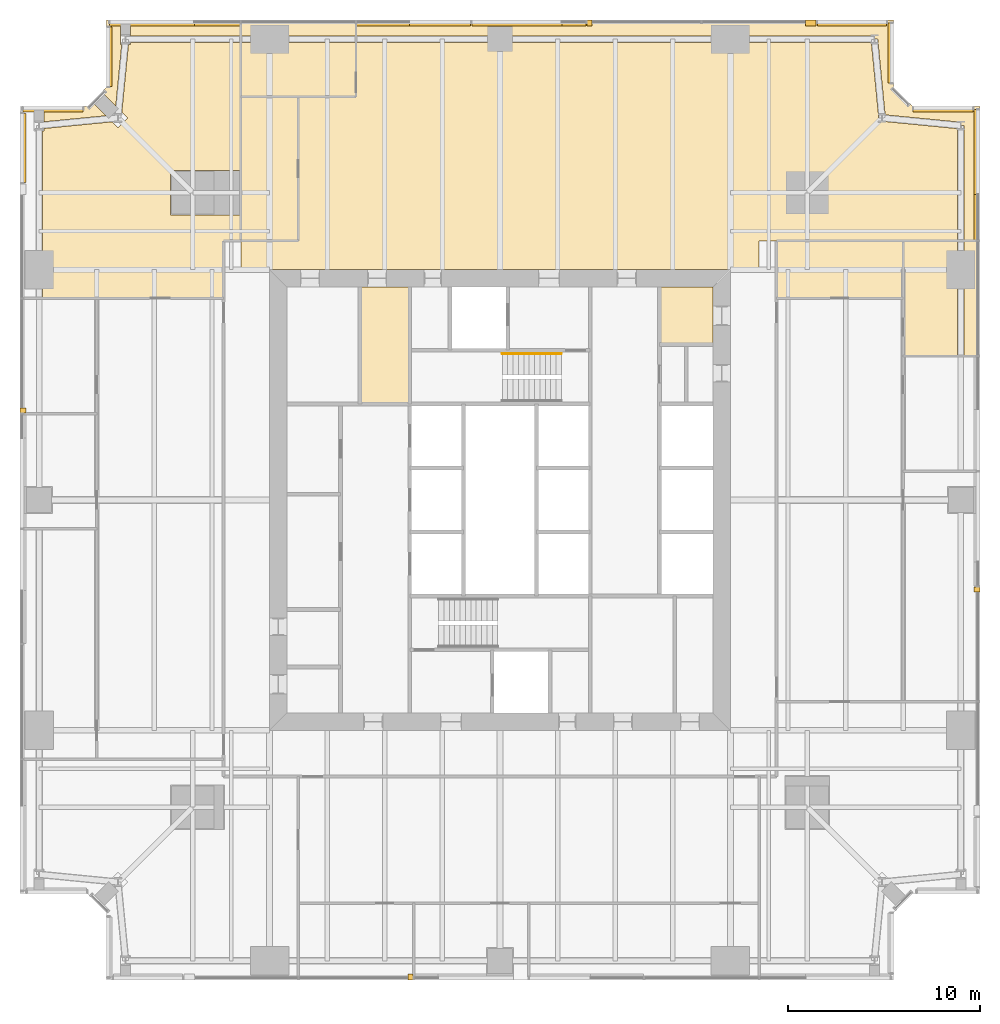
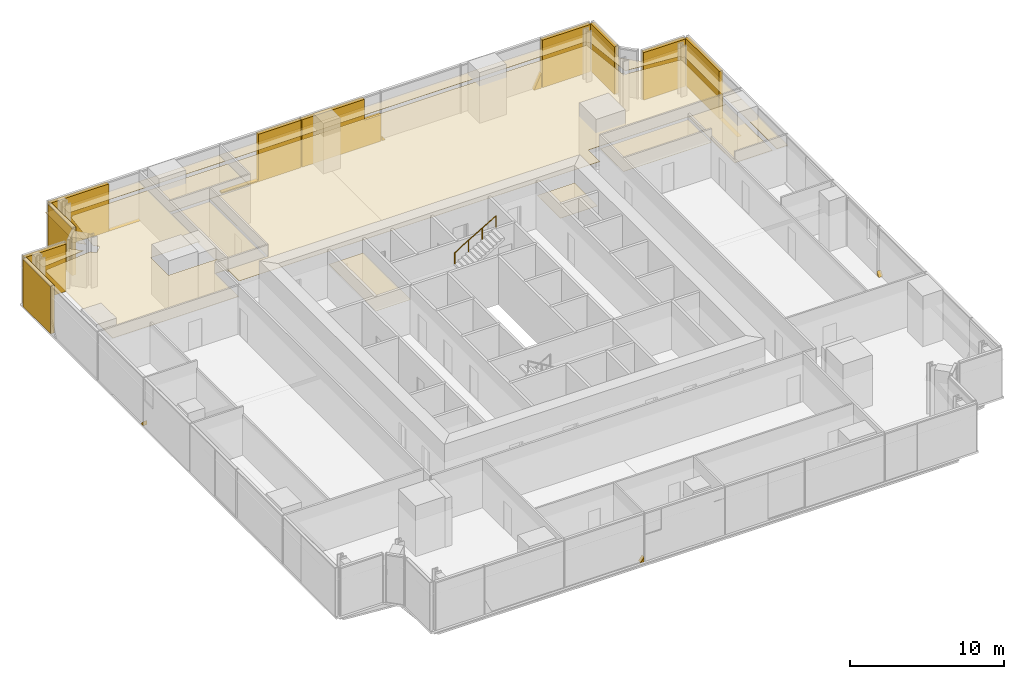
# One storey, part 13 of 13: 29 coverings, 1 railing.
"""IFC4 building model written with IfcOpenShell, lengths in metres."""

from ifc_helpers import new_model, si_unit, direction, frame, origin, origin_2d, place, context, subcontext, project, spatial, polyline, circle, outline, extrude, material, layer, layer_set, type_object, element, save


model = new_model("IFC4")

# Units and contexts
model_context = context("Model", 3, precision=1e-05, world=origin(), true_north=direction((0.0, 1.0)))
body_context = subcontext(model_context, "Body", "Model", "MODEL_VIEW")
ifc_project = project(units=[si_unit("LENGTHUNIT", "METRE"), si_unit("AREAUNIT", "SQUARE_METRE"), si_unit("VOLUMEUNIT", "CUBIC_METRE"), si_unit("PLANEANGLEUNIT", "RADIAN"), si_unit("MASSUNIT", "GRAM", prefix="KILO")], contexts=[model_context])

# Site, building, storey
site_placement = place(None, origin())
site = spatial("IfcSite", under=ifc_project, at=site_placement, CompositionType="ELEMENT")
building_placement = place(site_placement, origin())
building = spatial("IfcBuilding", under=site, at=building_placement, Name="Fenwick Lantern Interchange", CompositionType="ELEMENT")
storey_placement = place(building_placement, frame((0.0, 0.0, 142.39990234375)))
storey = spatial("IfcBuildingStorey", under=building, at=storey_placement, Name="L33", CompositionType="ELEMENT", Elevation=142.39990234375)

# Coverings
ifc_material_1 = material(Name="Mineral fibre acoustic tile on suspended grid")
ifc_layer_1 = layer(ifc_material_1, 0.02001953125)
ifc_layer_set_1 = layer_set([ifc_layer_1], Name="ACOUSTIC TILE CEILING 20")
covering_type_1 = type_object("IfcCoveringType", Name="ACOUSTIC TILE CEILING 20", PredefinedType="CEILING", material=ifc_layer_set_1)
covering_1_placement = place(storey_placement, frame((0.0, 0.0, 2.900146484375)))
element("IfcCovering", 1, at=covering_1_placement, inside=storey, type_object=covering_type_1, Name="Office ceiling", PredefinedType="CEILING", context=body_context, shape_type="SweptSolid", body=[
    extrude(outline(polyline([(46.0, 32.5), (48.82763671875, 32.5), (48.82763671875, 37.0), (48.82763671875, 38.5), (46.0, 38.5), (46.0, 32.5)])), origin(), (0.0, 0.0, 1.0), 0.02001953125),
])
covering_2_placement = place(storey_placement, frame((0.0, 0.0, 2.900146484375)))
element("IfcCovering", 2, at=covering_2_placement, inside=storey, type_object=covering_type_1, Name="Office ceiling", PredefinedType="CEILING", context=body_context, shape_type="SweptSolid", body=[
    extrude(outline(polyline([(50.0, 38.5), (49.17236328125, 38.5), (49.17236328125, 37.0), (49.17236328125, 32.5), (50.0, 32.5), (50.0, 38.5)])), origin(), (0.0, 0.0, 1.0), 0.02001953125),
])
covering_3_placement = place(storey_placement, frame((0.0, 0.0, 2.7001953125)))
element("IfcCovering", 3, at=covering_3_placement, inside=storey, type_object=covering_type_1, Name="Print and copy room ceiling", PredefinedType="CEILING", context=body_context, shape_type="SweptSolid", body=[
    extrude(outline(polyline([(46.0, 35.5), (46.0, 38.5), (39.39990234375, 38.5), (39.39990234375, 35.5), (46.0, 35.5)])), origin(), (0.0, 0.0, 1.0), 0.02001953125),
])
covering_4_placement = place(storey_placement, frame((0.0, 0.0, 2.900146484375)))
element("IfcCovering", 4, at=covering_4_placement, inside=storey, type_object=covering_type_1, Name="Open office ceiling", PredefinedType="CEILING", context=body_context, shape_type="SweptSolid", body=[
    extrude(outline(polyline([(38.5, 38.5), (48.82763671875, 38.5), (48.82763671875, 44.343505859375), (44.88330078125, 44.728515625), (44.89990234375, 44.89990234375), (44.728515625, 44.88330078125), (44.343505859375, 48.82763671875), (37.0, 48.82763671875), (25.0, 48.82763671875), (17.5, 48.82763671875), (17.5, 46.0), (14.5, 46.0), (14.5, 38.5), (11.5, 38.5), (11.5, 37.0), (38.5, 37.0), (38.5, 38.5)])), origin(), (0.0, 0.0, 1.0), 0.02001953125),
])
covering_5_placement = place(storey_placement, frame((0.0, 0.0, 2.900146484375)))
element("IfcCovering", 5, at=covering_5_placement, inside=storey, type_object=covering_type_1, Name="Open office ceiling", PredefinedType="CEILING", context=body_context, shape_type="SweptSolid", body=[
    extrude(outline(polyline([(45.5, 46.5), (45.5, 50.0), (17.5, 50.0), (17.5, 49.17236328125), (25.0, 49.17236328125), (37.0, 49.17236328125), (44.5, 49.17236328125), (44.5, 49.0), (44.671630859375, 49.016845703125), (45.057861328125, 45.057861328125), (49.016845703125, 44.671630859375), (49.0, 44.5), (49.17236328125, 44.5), (49.17236328125, 38.5), (50.0, 38.5), (50.0, 45.5), (46.5, 45.5), (45.5, 46.5)])), origin(), (0.0, 0.0, 1.0), 0.02001953125),
])
covering_6_placement = place(storey_placement, frame((0.0, 0.0, 2.900146484375)))
element("IfcCovering", 6, at=covering_6_placement, inside=storey, type_object=covering_type_1, Name="Meeting room ceiling", PredefinedType="CEILING", context=body_context, shape_type="SweptSolid", body=[
    extrude(outline(polyline([(17.5, 46.0), (17.5, 48.82763671875), (13.0, 48.82763671875), (11.5, 48.82763671875), (11.5, 46.0), (17.5, 46.0)])), origin(), (0.0, 0.0, 1.0), 0.02001953125),
])
covering_7_placement = place(storey_placement, frame((0.0, 0.0, 2.900146484375)))
element("IfcCovering", 7, at=covering_7_placement, inside=storey, type_object=covering_type_1, Name="Meeting room ceiling", PredefinedType="CEILING", context=body_context, shape_type="SweptSolid", body=[
    extrude(outline(polyline([(11.5, 50.0), (11.5, 49.17236328125), (13.0, 49.17236328125), (17.5, 49.17236328125), (17.5, 50.0), (11.5, 50.0)])), origin(), (0.0, 0.0, 1.0), 0.02001953125),
])
covering_8_placement = place(storey_placement, frame((0.0, 0.0, 2.900146484375)))
element("IfcCovering", 8, at=covering_8_placement, inside=storey, type_object=covering_type_1, Name="Office study ceiling", PredefinedType="CEILING", context=body_context, shape_type="SweptSolid", body=[
    extrude(outline(polyline([(5.76220703125, 48.71240234375), (5.645263671875, 48.71240234375), (5.303955078125, 45.21630859375), (5.620361328125, 44.89990234375), (5.10009765625, 44.379638671875), (4.78369140625, 44.696044921875), (1.26220703125, 44.352294921875), (1.26220703125, 44.21240234375), (1.17236328125, 44.21240234375), (1.17236328125, 37.0), (1.17236328125, 35.5), (10.60009765625, 35.5), (10.60009765625, 38.5), (11.5, 38.5), (11.5, 39.85009765625), (7.85009765625, 39.85009765625), (7.85009765625, 42.14990234375), (11.5, 42.14990234375), (11.5, 48.82763671875), (5.76220703125, 48.82763671875), (5.76220703125, 48.71240234375)])), origin(), (0.0, 0.0, 1.0), 0.02001953125),
])
covering_9_placement = place(storey_placement, frame((0.0, 0.0, 2.900146484375)))
element("IfcCovering", 9, at=covering_9_placement, inside=storey, type_object=covering_type_1, Name="Office study ceiling", PredefinedType="CEILING", context=body_context, shape_type="SweptSolid", body=[
    extrude(outline(polyline([(5.76220703125, 50.0), (5.76220703125, 49.17236328125), (11.5, 49.17236328125), (11.5, 50.0), (5.76220703125, 50.0)])), origin(), (0.0, 0.0, 1.0), 0.02001953125),
])
covering_10_placement = place(storey_placement, frame((0.0, 0.0, 2.900146484375)))
element("IfcCovering", 10, at=covering_10_placement, inside=storey, type_object=covering_type_1, Name="Office study ceiling", PredefinedType="CEILING", context=body_context, shape_type="SweptSolid", body=[
    extrude(outline(polyline([(5.298828125, 48.71240234375), (5.23779296875, 48.71240234375), (5.23779296875, 50.0), (4.5, 50.0), (4.5, 46.5), (4.26025390625, 46.26025390625), (4.988525390625, 45.531982421875), (5.298828125, 48.71240234375)])), origin(), (0.0, 0.0, 1.0), 0.02001953125),
])
covering_11_placement = place(storey_placement, frame((0.0, 0.0, 2.900146484375)))
element("IfcCovering", 11, at=covering_11_placement, inside=storey, type_object=covering_type_1, Name="Office study ceiling", PredefinedType="CEILING", context=body_context, shape_type="SweptSolid", body=[
    extrude(outline(polyline([(1.26220703125, 45.5), (1.26220703125, 44.69873046875), (4.468017578125, 45.011474609375), (3.73974609375, 45.73974609375), (3.5, 45.5), (1.26220703125, 45.5)])), origin(), (0.0, 0.0, 1.0), 0.02001953125),
])
ifc_material_2 = material(Name="Granite cladding, warm grey flamed finish, on aluminium carrier frame", Category="masonry")
ifc_layer_2 = layer(ifc_material_2, 0.300048828125)
ifc_layer_set_2 = layer_set([ifc_layer_2], Name="BRACE CASING PANEL 300")
covering_type_2 = type_object("IfcCoveringType", Name="BRACE CASING PANEL 300", PredefinedType="CLADDING", material=ifc_layer_set_2)
for number, where, z_axis, x_axis, name in (
    (12, (4.60009765625, 0.10009765625, 0.0), (0.0, 0.0, 1.0), (1.0, 0.0, 0.0), "Brace casing 01 bay 02a"),
    (13, (49.89990234375, 4.60009765625, 0.0), (0.0, 0.0, 1.0), (0.0, 1.0, 0.0), "Brace casing 05 bay 02a"),
):
    element("IfcCovering", number, at=place(storey_placement, frame(where, z_axis=z_axis, x_axis=x_axis)), inside=storey, type_object=covering_type_2, Name=name, PredefinedType="CLADDING", context=body_context, shape_type="SweptSolid", body=[
        extrude(outline(polyline([(15.6044921875, 0.0), (15.867431640625, 0.0), (15.867431640625, 0.350830078125), (15.6044921875, 0.0)])), frame((0.0, 0.2001953125, 0.0), z_axis=(0.0, -1.0, 0.0), x_axis=(1.0, 0.0, 0.0)), (0.0, 0.0, 1.0), 0.300048828125),
    ])
covering_12_placement = place(storey_placement, frame((49.89990234375, 4.60009765625, 0.0), z_axis=(0.0, 0.0, 1.0), x_axis=(0.0, 1.0, 0.0)))
element("IfcCovering", 14, at=covering_12_placement, inside=storey, type_object=covering_type_2, Name="Brace casing 05 bay 06a", PredefinedType="CLADDING", context=body_context, shape_type="SweptSolid", body=[
    extrude(outline(polyline([(33.9326171875, 0.0), (40.735107421875, 0.0), (40.735107421875, 3.75), (36.322509765625, 3.75), (36.322509765625, 0.0029296875), (33.9326171875, 0.0029296875), (33.9326171875, 0.0)])), frame((0.0, 0.2001953125, 0.0), z_axis=(0.0, -1.0, 0.0), x_axis=(1.0, 0.0, 0.0)), (0.0, 0.0, 1.0), 0.300048828125),
])
for number, where, z_axis, x_axis, name in (
    (15, (49.89990234375, 45.39990234375, 0.0), (0.0, 0.0, 1.0), (-1.0, 0.0, 0.0), "Brace casing 06 bay 00a"),
    (16, (45.39990234375, 46.45849609375, 0.0), (0.0, 0.0, 1.0), (0.0, 1.0, 0.0), "Brace casing 08 bay 00a"),
):
    element("IfcCovering", number, at=place(storey_placement, frame(where, z_axis=z_axis, x_axis=x_axis)), inside=storey, type_object=covering_type_2, Name=name, PredefinedType="CLADDING", context=body_context, shape_type="SweptSolid", body=[
        extrude(outline(polyline([(0.264892578125, 0.0), (3.37646484375, 0.0), (3.37646484375, 3.75), (0.264892578125, 3.75), (0.264892578125, 0.0)])), frame((0.0, 0.2001953125, 0.0), z_axis=(0.0, -1.0, 0.0), x_axis=(1.0, 0.0, 0.0)), (0.0, 0.0, 1.0), 0.300048828125),
    ])
covering_13_placement = place(storey_placement, frame((45.39990234375, 49.89990234375, 0.0), z_axis=(0.0, 0.0, 1.0), x_axis=(-1.0, 0.0, 0.0)))
element("IfcCovering", 17, at=covering_13_placement, inside=storey, type_object=covering_type_2, Name="Brace casing 09 bay 00a", PredefinedType="CLADDING", context=body_context, shape_type="SweptSolid", body=[
    extrude(outline(polyline([(0.264892578125, 0.0), (3.867431640625, 0.0), (3.867431640625, 3.75), (0.264892578125, 3.75), (0.264892578125, 0.0)])), frame((0.0, 0.2001953125, 0.0), z_axis=(0.0, -1.0, 0.0), x_axis=(1.0, 0.0, 0.0)), (0.0, 0.0, 1.0), 0.300048828125),
])
covering_14_placement = place(storey_placement, frame((45.39990234375, 49.89990234375, 0.0), z_axis=(0.0, 0.0, 1.0), x_axis=(-1.0, 0.0, 0.0)))
element("IfcCovering", 18, at=covering_14_placement, inside=storey, type_object=covering_type_2, Name="Brace casing 09 bay 01a", PredefinedType="CLADDING", context=body_context, shape_type="SweptSolid", body=[
    extrude(outline(polyline([(3.9326171875, 0.0), (4.478759765625, 0.0), (3.9326171875, 1.165771484375), (3.9326171875, 0.0)])), frame((0.0, 0.2001953125, 0.0), z_axis=(0.0, -1.0, 0.0), x_axis=(1.0, 0.0, 0.0)), (0.0, 0.0, 1.0), 0.300048828125),
])
covering_15_placement = place(storey_placement, frame((45.39990234375, 49.89990234375, 0.0), z_axis=(0.0, 0.0, 1.0), x_axis=(-1.0, 0.0, 0.0)))
element("IfcCovering", 19, at=covering_15_placement, inside=storey, type_object=covering_type_2, Name="Brace casing 09 bay 02a", PredefinedType="CLADDING", context=body_context, shape_type="SweptSolid", body=[
    extrude(outline(polyline([(15.6044921875, 0.0), (15.867431640625, 0.0), (15.867431640625, 0.350830078125), (15.6044921875, 0.0)])), frame((0.0, 0.2001953125, 0.0), z_axis=(0.0, -1.0, 0.0), x_axis=(1.0, 0.0, 0.0)), (0.0, 0.0, 1.0), 0.300048828125),
])
covering_16_placement = place(storey_placement, frame((45.39990234375, 49.89990234375, 0.0), z_axis=(0.0, 0.0, 1.0), x_axis=(-1.0, 0.0, 0.0)))
element("IfcCovering", 20, at=covering_16_placement, inside=storey, type_object=covering_type_2, Name="Brace casing 09 bay 03a", PredefinedType="CLADDING", context=body_context, shape_type="SweptSolid", body=[
    extrude(outline(polyline([(15.9326171875, 0.0), (21.867431640625, 0.0), (21.867431640625, 3.75), (17.172607421875, 3.75), (17.172607421875, 2.0908203125), (15.9326171875, 2.0908203125), (15.9326171875, 0.0)])), frame((0.0, 0.2001953125, 0.0), z_axis=(0.0, -1.0, 0.0), x_axis=(1.0, 0.0, 0.0)), (0.0, 0.0, 1.0), 0.300048828125),
])
covering_17_placement = place(storey_placement, frame((45.39990234375, 49.89990234375, 0.0), z_axis=(0.0, 0.0, 1.0), x_axis=(-1.0, 0.0, 0.0)))
element("IfcCovering", 21, at=covering_17_placement, inside=storey, type_object=covering_type_2, Name="Brace casing 09 bay 04a", PredefinedType="CLADDING", context=body_context, shape_type="SweptSolid", body=[
    extrude(outline(polyline([(21.9326171875, 0.0), (27.867431640625, 0.0), (27.867431640625, 0.093017578125), (25.1259765625, 0.093017578125), (25.1259765625, 3.75), (21.9326171875, 3.75), (21.9326171875, 0.0)])), frame((0.0, 0.2001953125, 0.0), z_axis=(0.0, -1.0, 0.0), x_axis=(1.0, 0.0, 0.0)), (0.0, 0.0, 1.0), 0.300048828125),
])
covering_18_placement = place(storey_placement, frame((45.39990234375, 49.89990234375, 0.0), z_axis=(0.0, 0.0, 1.0), x_axis=(-1.0, 0.0, 0.0)))
element("IfcCovering", 22, at=covering_18_placement, inside=storey, type_object=covering_type_2, Name="Brace casing 09 bay 06a", PredefinedType="CLADDING", context=body_context, shape_type="SweptSolid", body=[
    extrude(outline(polyline([(33.9326171875, 0.0), (40.735107421875, 0.0), (40.735107421875, 3.75), (36.322509765625, 3.75), (36.322509765625, 0.0029296875), (33.9326171875, 0.0029296875), (33.9326171875, 0.0)])), frame((0.0, 0.2001953125, 0.0), z_axis=(0.0, -1.0, 0.0), x_axis=(1.0, 0.0, 0.0)), (0.0, 0.0, 1.0), 0.300048828125),
])
for number, where, z_axis, x_axis, name in (
    (23, (4.60009765625, 49.89990234375, 0.0), (0.0, 0.0, 1.0), (0.0, -1.0, 0.0), "Brace casing 10 bay 00a"),
    (24, (3.54150390625, 45.39990234375, 0.0), (0.0, 0.0, 1.0), (-1.0, 0.0, 0.0), "Brace casing 12 bay 00a"),
):
    element("IfcCovering", number, at=place(storey_placement, frame(where, z_axis=z_axis, x_axis=x_axis)), inside=storey, type_object=covering_type_2, Name=name, PredefinedType="CLADDING", context=body_context, shape_type="SweptSolid", body=[
        extrude(outline(polyline([(0.264892578125, 0.0), (3.37646484375, 0.0), (3.37646484375, 3.75), (0.264892578125, 3.75), (0.264892578125, 0.0)])), frame((0.0, 0.2001953125, 0.0), z_axis=(0.0, -1.0, 0.0), x_axis=(1.0, 0.0, 0.0)), (0.0, 0.0, 1.0), 0.300048828125),
    ])
covering_19_placement = place(storey_placement, frame((0.10009765625, 45.39990234375, 0.0), z_axis=(0.0, 0.0, 1.0), x_axis=(0.0, -1.0, 0.0)))
element("IfcCovering", 25, at=covering_19_placement, inside=storey, type_object=covering_type_2, Name="Brace casing 13 bay 00a", PredefinedType="CLADDING", context=body_context, shape_type="SweptSolid", body=[
    extrude(outline(polyline([(0.264892578125, 0.0), (3.867431640625, 0.0), (3.867431640625, 3.75), (0.264892578125, 3.75), (0.264892578125, 0.0)])), frame((0.0, 0.2001953125, 0.0), z_axis=(0.0, -1.0, 0.0), x_axis=(1.0, 0.0, 0.0)), (0.0, 0.0, 1.0), 0.300048828125),
])
covering_20_placement = place(storey_placement, frame((0.10009765625, 45.39990234375, 0.0), z_axis=(0.0, 0.0, 1.0), x_axis=(0.0, -1.0, 0.0)))
element("IfcCovering", 26, at=covering_20_placement, inside=storey, type_object=covering_type_2, Name="Brace casing 13 bay 02a", PredefinedType="CLADDING", context=body_context, shape_type="SweptSolid", body=[
    extrude(outline(polyline([(15.6044921875, 0.0), (15.867431640625, 0.0), (15.867431640625, 0.350830078125), (15.6044921875, 0.0)])), frame((0.0, 0.2001953125, 0.0), z_axis=(0.0, -1.0, 0.0), x_axis=(1.0, 0.0, 0.0)), (0.0, 0.0, 1.0), 0.300048828125),
])

# Railing
ifc_material_3 = material(Name="Stainless steel handrail", Category="steel")
railing_type = type_object("IfcRailingType", Name="HANDRAIL 900", PredefinedType="HANDRAIL", material=ifc_material_3)
railing_placement = place(storey_placement, frame((25.1201171875, 32.6259765625, 2.166748046875)))
element("IfcRailing", 27, at=railing_placement, inside=storey, type_object=railing_type, Name="L33/STAIR/ST2/HR2", PredefinedType="HANDRAIL", context=body_context, shape_type="SweptSolid", body=[
    extrude(circle(Radius=0.02392578125, at=origin_2d()), frame((0.0, 0.0, 0.8759765625), z_axis=(0.859290745958, 0.0, 0.51148745235), x_axis=(0.0, 1.0, 0.0)), (0.0, 0.0, 1.0), 3.584228515625),
    extrude(circle(Radius=0.02099609375, at=origin_2d()), origin(), (0.0, 0.0, 1.0), 0.851806640625),
    extrude(circle(Radius=0.02099609375, at=origin_2d()), frame((1.026611328125, 0.0, 0.611083984375)), (0.0, 0.0, 1.0), 0.851806640625),
    extrude(circle(Radius=0.02099609375, at=origin_2d()), frame((2.05322265625, 0.0, 1.22216796875)), (0.0, 0.0, 1.0), 0.851806640625),
    extrude(circle(Radius=0.02099609375, at=origin_2d()), frame((3.079833984375, 0.0, 1.833251953125)), (0.0, 0.0, 1.0), 0.851806640625),
])

# Coverings
ifc_material_4 = material(Name="Moisture resistant gypsum board on suspended frame, painted")
ifc_layer_3 = layer(ifc_material_4, 0.014892578125)
ifc_layer_set_3 = layer_set([ifc_layer_3], Name="MOISTURE RESISTANT CEILING 15")
covering_type_3 = type_object("IfcCoveringType", Name="MOISTURE RESISTANT CEILING 15", PredefinedType="CEILING", material=ifc_layer_set_3)
covering_21_placement = place(storey_placement, frame((0.0, 0.0, 2.60009765625)))
element("IfcCovering", 28, at=covering_21_placement, inside=storey, type_object=covering_type_3, Name="Men's WC ceiling", PredefinedType="CEILING", context=body_context, shape_type="SweptSolid", body=[
    extrude(outline(polyline([(20.300048828125, 36.10009765625), (17.699951171875, 36.10009765625), (17.699951171875, 30.0), (20.300048828125, 30.0), (20.300048828125, 36.10009765625)])), origin(), (0.0, 0.0, 1.0), 0.014892578125),
])
covering_22_placement = place(storey_placement, frame((0.0, 0.0, 2.60009765625)))
element("IfcCovering", 29, at=covering_22_placement, inside=storey, type_object=covering_type_3, Name="Accessible WC ceiling", PredefinedType="CEILING", context=body_context, shape_type="SweptSolid", body=[
    extrude(outline(polyline([(36.10009765625, 36.10009765625), (33.300048828125, 36.10009765625), (33.300048828125, 33.10009765625), (36.10009765625, 33.10009765625), (36.10009765625, 36.10009765625)])), origin(), (0.0, 0.0, 1.0), 0.014892578125),
])
covering_23_placement = place(storey_placement, frame((0.0, 0.0, 2.7001953125)))
element("IfcCovering", 30, at=covering_23_placement, inside=storey, type_object=covering_type_3, Name="Pantry ceiling", PredefinedType="CEILING", context=body_context, shape_type="SweptSolid", body=[
    extrude(outline(polyline([(14.5, 46.0), (11.5, 46.0), (11.5, 38.5), (14.5, 38.5), (14.5, 46.0)])), origin(), (0.0, 0.0, 1.0), 0.014892578125),
])

save(model, "model.ifc")
